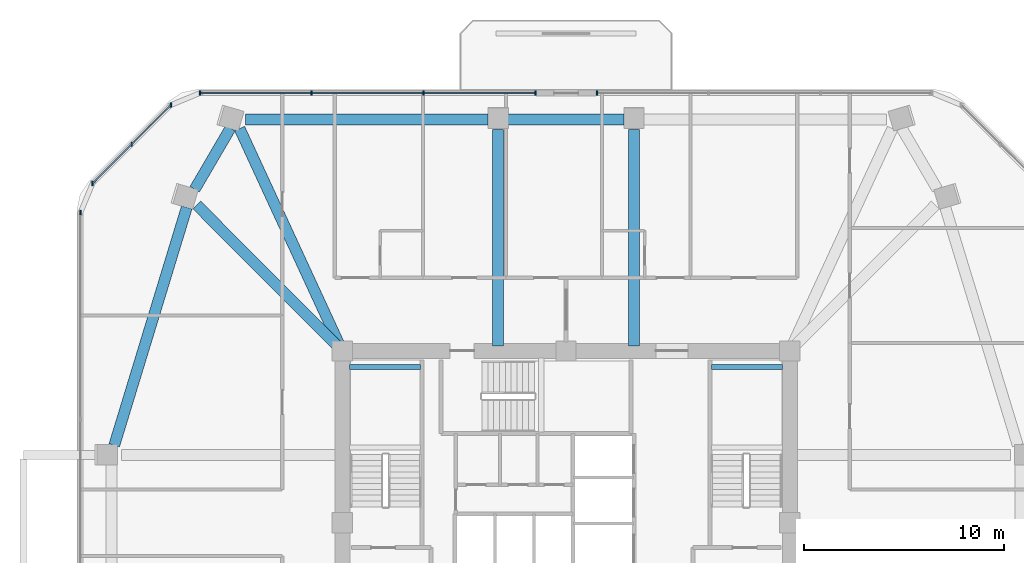
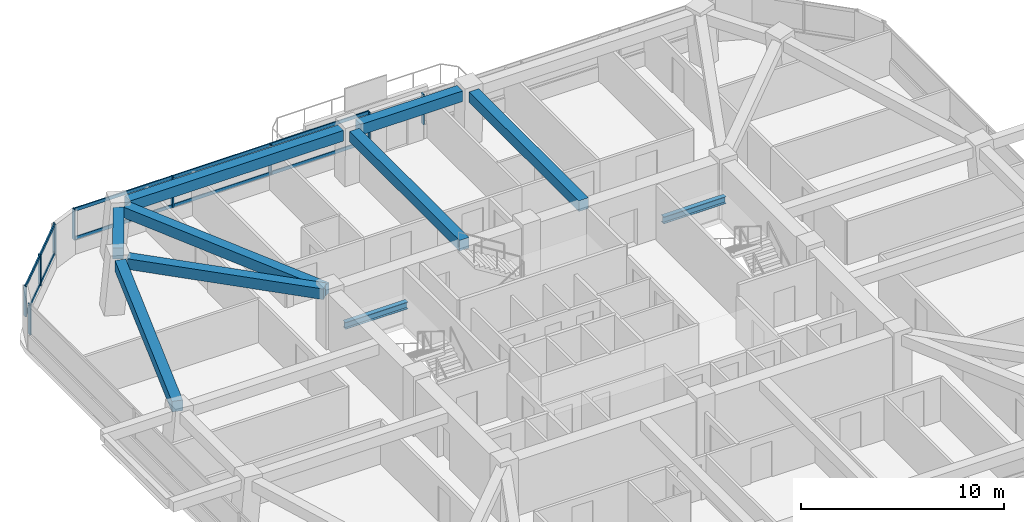
# One storey, part 5 of 13: 13 members, 10 beams, 4 elements without a shape of their own.
"""IFC4 building model written with IfcOpenShell, lengths in metres."""

from ifc_helpers import new_model, si_unit, derived_unit, direction, frame, origin, origin_2d, place, context, subcontext, project, spatial, rectangle, i_section, extrude, material, material_profile, profile_set, type_object, element, aggregate, save


model = new_model("IFC4")

# Units and contexts
model_context = context("Model", 3, precision=1e-05, world=origin(), true_north=direction((0.0, 1.0)))
body_context = subcontext(model_context, "Body", "Model", "MODEL_VIEW")
ifc_project = project(units=[si_unit("LENGTHUNIT", "METRE"), si_unit("AREAUNIT", "SQUARE_METRE"), si_unit("VOLUMEUNIT", "CUBIC_METRE"), si_unit("PLANEANGLEUNIT", "RADIAN"), si_unit("MASSUNIT", "GRAM", prefix="KILO"), derived_unit("THERMALTRANSMITTANCEUNIT", [(si_unit("POWERUNIT", "WATT"), 1), (si_unit("LENGTHUNIT", "METRE"), -2), (si_unit("THERMODYNAMICTEMPERATUREUNIT", "KELVIN"), -1)])], contexts=[model_context])

# Site, building, storey
site_placement = place(None, origin())
site = spatial("IfcSite", under=ifc_project, at=site_placement, CompositionType="ELEMENT")
building_placement = place(site_placement, origin())
building = spatial("IfcBuilding", under=site, at=building_placement, Name="Koralith Skygarden Medical Center", CompositionType="ELEMENT")
storey_placement = place(building_placement, frame((0.0, 0.0, 117.179931640625)))
storey = spatial("IfcBuildingStorey", under=building, at=storey_placement, Name="L30", CompositionType="ELEMENT", Elevation=117.179931640625)

# Curtain wall, member
ifc_material_1 = material(Name="Clear Laminated Glass", Category="glass")
curtain_wall_type = type_object("IfcCurtainWallType", Name="CW-3 Zone 2 Faceted Solar Curtain Wall", PredefinedType="NOTDEFINED", material=ifc_material_1)
curtain_wall_1_placement = place(storey_placement, origin())
curtain_wall_1 = element("IfcCurtainWall", 1, at=curtain_wall_1_placement, inside=storey, type_object=curtain_wall_type, Name="Curtain Wall CW-L30-N-L", PredefinedType="NOTDEFINED")
ifc_material_2 = material(Name="Aluminium 6063-T6", Category="aluminium")
ifc_material_profile_1 = material_profile(ifc_material_2, rectangle(XDim=0.073974609375, YDim=0.219970703125, at=origin_2d()), Name="MUL74X220")
ifc_profile_set_1 = profile_set([ifc_material_profile_1], Name="Aluminium 6063-T6")
member_type_1 = type_object("IfcMemberType", Name="CW-3 Extruded Mullion 74x220", PredefinedType="MULLION", material=ifc_profile_set_1)
member_1_placement = place(storey_placement, frame((38.5400390625, 47.412109375, 0.85009765625), z_axis=(0.0, 0.0, 1.0), x_axis=(1.0, 0.0, 0.0)))
member_1 = element("IfcMember", 2, at=member_1_placement, type_object=member_type_1, Name="CW-L30-N-L Mullion 4", PredefinedType="MULLION", context=body_context, shape_type="SweptSolid", body=[
    extrude(rectangle(XDim=0.073974609375, YDim=0.219970703125, at=origin_2d()), origin(), (0.0, 0.0, 1.0), 1.820068359375),
])
aggregate(curtain_wall_1, [member_1])

# Curtain wall, members
curtain_wall_2_placement = place(storey_placement, origin())
curtain_wall_2 = element("IfcCurtainWall", 3, at=curtain_wall_2_placement, inside=storey, type_object=curtain_wall_type, Name="Curtain Wall CW-L30-N-R", PredefinedType="NOTDEFINED")
member_2_placement = place(storey_placement, frame((35.4599609375, 47.412109375, 0.85009765625), z_axis=(0.0, 0.0, 1.0), x_axis=(1.0, 0.0, 0.0)))
member_2 = element("IfcMember", 4, at=member_2_placement, type_object=member_type_1, Name="CW-L30-N-R Mullion 1", PredefinedType="MULLION", context=body_context, shape_type="SweptSolid", body=[
    extrude(rectangle(XDim=0.073974609375, YDim=0.219970703125, at=origin_2d()), origin(), (0.0, 0.0, 1.0), 1.820068359375),
])
member_3_placement = place(storey_placement, frame((29.864990234375, 47.412109375, 0.85009765625), z_axis=(0.0, 0.0, 1.0), x_axis=(1.0, 0.0, 0.0)))
member_3 = element("IfcMember", 5, at=member_3_placement, type_object=member_type_1, Name="CW-L30-N-R Mullion 2", PredefinedType="MULLION", context=body_context, shape_type="SweptSolid", body=[
    extrude(rectangle(XDim=0.073974609375, YDim=0.219970703125, at=origin_2d()), origin(), (0.0, 0.0, 1.0), 1.820068359375),
])
member_4_placement = place(storey_placement, frame((24.26904296875, 47.412109375, 0.85009765625), z_axis=(0.0, 0.0, 1.0), x_axis=(1.0, 0.0, 0.0)))
member_4 = element("IfcMember", 6, at=member_4_placement, type_object=member_type_1, Name="CW-L30-N-R Mullion 3", PredefinedType="MULLION", context=body_context, shape_type="SweptSolid", body=[
    extrude(rectangle(XDim=0.073974609375, YDim=0.219970703125, at=origin_2d()), origin(), (0.0, 0.0, 1.0), 1.820068359375),
])
member_5_placement = place(storey_placement, frame((18.674072265625, 47.412109375, 0.85009765625), z_axis=(0.0, 0.0, 1.0), x_axis=(1.0, 0.0, 0.0)))
member_5 = element("IfcMember", 7, at=member_5_placement, type_object=member_type_1, Name="CW-L30-N-R Mullion 4", PredefinedType="MULLION", context=body_context, shape_type="SweptSolid", body=[
    extrude(rectangle(XDim=0.073974609375, YDim=0.219970703125, at=origin_2d()), origin(), (0.0, 0.0, 1.0), 1.820068359375),
])

curtain_wall_3_placement = place(storey_placement, origin())
curtain_wall_3 = element("IfcCurtainWall", 8, at=curtain_wall_3_placement, inside=storey, type_object=curtain_wall_type, Name="Curtain Wall CW-L30-NW", PredefinedType="NOTDEFINED")
member_6_placement = place(storey_placement, frame((17.222900390625, 46.81103515625, 0.85009765625), z_axis=(0.0, 0.0, 1.0), x_axis=(1.0, 0.0, 0.0)))
member_6 = element("IfcMember", 9, at=member_6_placement, type_object=member_type_1, Name="CW-L30-NW Mullion 1", PredefinedType="MULLION", context=body_context, shape_type="SweptSolid", body=[
    extrude(rectangle(XDim=0.073974609375, YDim=0.219970703125, at=origin_2d()), origin(), (0.0, 0.0, 1.0), 1.820068359375),
])
member_7_placement = place(storey_placement, frame((15.260986328125, 44.84912109375, 0.85009765625), z_axis=(0.0, 0.0, 1.0), x_axis=(1.0, 0.0, 0.0)))
member_7 = element("IfcMember", 10, at=member_7_placement, type_object=member_type_1, Name="CW-L30-NW Mullion 2", PredefinedType="MULLION", context=body_context, shape_type="SweptSolid", body=[
    extrude(rectangle(XDim=0.073974609375, YDim=0.219970703125, at=origin_2d()), origin(), (0.0, 0.0, 1.0), 1.820068359375),
])
member_8_placement = place(storey_placement, frame((13.300048828125, 42.887939453125, 0.85009765625), z_axis=(0.0, 0.0, 1.0), x_axis=(1.0, 0.0, 0.0)))
member_8 = element("IfcMember", 11, at=member_8_placement, type_object=member_type_1, Name="CW-L30-NW Mullion 3", PredefinedType="MULLION", context=body_context, shape_type="SweptSolid", body=[
    extrude(rectangle(XDim=0.073974609375, YDim=0.219970703125, at=origin_2d()), origin(), (0.0, 0.0, 1.0), 1.820068359375),
])

# Curtain wall, member
curtain_wall_4_placement = place(storey_placement, origin())
curtain_wall_4 = element("IfcCurtainWall", 12, at=curtain_wall_4_placement, inside=storey, type_object=curtain_wall_type, Name="Curtain Wall CW-L30-W", PredefinedType="NOTDEFINED")
member_9_placement = place(storey_placement, frame((12.697998046875, 41.43701171875, 0.85009765625), z_axis=(0.0, 0.0, 1.0), x_axis=(1.0, 0.0, 0.0)))
member_9 = element("IfcMember", 13, at=member_9_placement, type_object=member_type_1, Name="CW-L30-W Mullion 1", PredefinedType="MULLION", context=body_context, shape_type="SweptSolid", body=[
    extrude(rectangle(XDim=0.073974609375, YDim=0.219970703125, at=origin_2d()), origin(), (0.0, 0.0, 1.0), 1.820068359375),
])
aggregate(curtain_wall_4, [member_9])

# Member
ifc_material_profile_2 = material_profile(ifc_material_2, rectangle(XDim=0.069091796875, YDim=0.197998046875, at=origin_2d()), Name="TRN69X198")
ifc_profile_set_2 = profile_set([ifc_material_profile_2], Name="Aluminium 6063-T6")
member_type_2 = type_object("IfcMemberType", Name="CW-3 Thermal Transom 69x198", PredefinedType="USERDEFINED", material=ifc_profile_set_2)
member_10_placement = place(storey_placement, frame((35.4599609375, 47.412109375, 0.900146484375), z_axis=(-1.0, 0.0, 0.0), x_axis=(0.0, -1.0, 0.0)))
member_10 = element("IfcMember", 14, at=member_10_placement, type_object=member_type_2, Name="CW-L30-N-R Transom 1", ObjectType="TRANSOM", PredefinedType="USERDEFINED", context=body_context, shape_type="SweptSolid", body=[
    extrude(rectangle(XDim=0.069091796875, YDim=0.197998046875, at=origin_2d()), origin(), (0.0, 0.0, 1.0), 16.785888671875),
])

member_11_placement = place(storey_placement, frame((35.4599609375, 47.412109375, 2.6201171875), z_axis=(-1.0, 0.0, 0.0), x_axis=(0.0, -1.0, 0.0)))
member_11 = element("IfcMember", 15, at=member_11_placement, type_object=member_type_2, Name="CW-L30-N-R Transom 2", ObjectType="TRANSOM", PredefinedType="USERDEFINED", context=body_context, shape_type="SweptSolid", body=[
    extrude(rectangle(XDim=0.069091796875, YDim=0.197998046875, at=origin_2d()), origin(), (0.0, 0.0, 1.0), 16.785888671875),
])

aggregate(curtain_wall_2, [member_2, member_3, member_4, member_5, member_10, member_11])

member_12_placement = place(storey_placement, frame((17.222900390625, 46.81103515625, 0.900146484375), z_axis=(-0.707084777957, -0.707128783731, 0.0), x_axis=(0.707128783731, -0.707084777957, 0.0)))
member_12 = element("IfcMember", 16, at=member_12_placement, type_object=member_type_2, Name="CW-L30-NW Transom 1", ObjectType="TRANSOM", PredefinedType="USERDEFINED", context=body_context, shape_type="SweptSolid", body=[
    extrude(rectangle(XDim=0.069091796875, YDim=0.197998046875, at=origin_2d()), origin(), (0.0, 0.0, 1.0), 5.5478515625),
])

member_13_placement = place(storey_placement, frame((17.222900390625, 46.81103515625, 2.6201171875), z_axis=(-0.707084777957, -0.707128783731, 0.0), x_axis=(0.707128783731, -0.707084777957, 0.0)))
member_13 = element("IfcMember", 17, at=member_13_placement, type_object=member_type_2, Name="CW-L30-NW Transom 2", ObjectType="TRANSOM", PredefinedType="USERDEFINED", context=body_context, shape_type="SweptSolid", body=[
    extrude(rectangle(XDim=0.069091796875, YDim=0.197998046875, at=origin_2d()), origin(), (0.0, 0.0, 1.0), 5.5478515625),
])

aggregate(curtain_wall_3, [member_6, member_7, member_8, member_12, member_13])

# Beams
ifc_material_3 = material(Name="Steel ASTM A992 Grade 50", Category="steel")
ifc_material_profile_3 = material_profile(ifc_material_3, i_section(OverallWidth=0.260009765625, OverallDepth=0.4150390625, WebThickness=0.010009765625, FlangeThickness=0.016845703125, at=origin_2d()), Name="W16X67")
ifc_profile_set_3 = profile_set([ifc_material_profile_3], Name="Steel ASTM A992 Grade 50")
beam_type_1 = type_object("IfcBeamType", Name="Clinical Floor Joist W16X67", PredefinedType="JOIST", material=ifc_profile_set_3)
for number, where, z_axis, x_axis, name in (
    (18, (26.155029296875, 33.699951171875, 1.39306640625), (1.0, 0.0, 0.0), (0.0, 1.0, 0.0), "L30 Stair ST1 Half-Landing Support Beam 1B"),
    (19, (44.280029296875, 33.699951171875, 1.39306640625), (1.0, 0.0, 0.0), (0.0, 1.0, 0.0), "L30 Stair ST2 Half-Landing Support Beam 1B"),
):
    element("IfcBeam", number, at=place(storey_placement, frame(where, z_axis=z_axis, x_axis=x_axis)), inside=storey, type_object=beam_type_1, Name=name, PredefinedType="JOIST", context=body_context, shape_type="SweptSolid", body=[
        extrude(i_section(OverallWidth=0.260009765625, OverallDepth=0.4150390625, WebThickness=0.010009765625, FlangeThickness=0.016845703125, at=origin_2d()), origin(), (0.0, 0.0, 1.0), 3.56494140625),
    ])
ifc_material_4 = material(Name="Concrete C45/55", Category="concrete")
ifc_material_profile_4 = material_profile(ifc_material_4, rectangle(XDim=0.550048828125, YDim=0.639892578125, at=origin_2d()), Name="RCB550X640")
ifc_profile_set_4 = profile_set([ifc_material_profile_4], Name="Concrete C45/55")
beam_type_2 = type_object("IfcBeamType", Name="Radial Collector Beam RCB550X640", PredefinedType="BEAM", material=ifc_profile_set_4)
for number, where, z_axis, x_axis, name in (
    (20, (40.39990234375, 34.75, 3.0), (0.0, 1.0, 0.0), (-1.0, 0.0, 0.0), "L30 Radial Collector Beam RB-12"),
    (21, (33.60009765625, 34.75, 3.0), (0.0, 1.0, 0.0), (-1.0, 0.0, 0.0), "L30 Radial Collector Beam RB-13"),
):
    element("IfcBeam", number, at=place(storey_placement, frame(where, z_axis=z_axis, x_axis=x_axis)), inside=storey, type_object=beam_type_2, Name=name, PredefinedType="BEAM", context=body_context, shape_type="SweptSolid", body=[
        extrude(rectangle(XDim=0.550048828125, YDim=0.639892578125, at=origin_2d()), origin(), (0.0, 0.0, 1.0), 10.833984375),
    ])
beam_1_placement = place(storey_placement, frame((25.695068359375, 34.72705078125, 3.0), z_axis=(-0.419118772133, 0.907931415276, 0.0), x_axis=(-0.907931415276, -0.419118772133, 0.0)))
element("IfcBeam", 22, at=beam_1_placement, inside=storey, type_object=beam_type_2, Name="L30 Radial Collector Beam RB-14", PredefinedType="BEAM", context=body_context, shape_type="SweptSolid", body=[
    extrude(rectangle(XDim=0.550048828125, YDim=0.639892578125, at=origin_2d()), origin(), (0.0, 0.0, 1.0), 12.008544921875),
])
beam_2_placement = place(storey_placement, frame((25.6240234375, 34.677001953125, 3.0), z_axis=(-0.706015026084, 0.708196853243, 0.0), x_axis=(-0.708196853243, -0.706015026084, 0.0)))
element("IfcBeam", 23, at=beam_2_placement, inside=storey, type_object=beam_type_2, Name="L30 Radial Collector Beam RB-15", PredefinedType="BEAM", context=body_context, shape_type="SweptSolid", body=[
    extrude(rectangle(XDim=0.550048828125, YDim=0.639892578125, at=origin_2d()), origin(), (0.0, 0.0, 1.0), 10.07080078125),
])
ifc_material_profile_5 = material_profile(ifc_material_4, rectangle(XDim=0.550048828125, YDim=0.639892578125, at=origin_2d()), Name="RCB550X640")
ifc_profile_set_5 = profile_set([ifc_material_profile_5], Name="Concrete C45/55")
beam_type_3 = type_object("IfcBeamType", Name="Zone 2-3 Spandrel Beam RCB550X640", PredefinedType="SPANDREL", material=ifc_profile_set_5)
beam_3_placement = place(storey_placement, frame((39.89990234375, 46.083984375, 3.0), z_axis=(-1.0, 0.0, 0.0), x_axis=(0.0, -1.0, 0.0)))
element("IfcBeam", 24, at=beam_3_placement, inside=storey, type_object=beam_type_3, Name="L30 Perimeter Spandrel Beam SP-12", PredefinedType="SPANDREL", context=body_context, shape_type="SweptSolid", body=[
    extrude(rectangle(XDim=0.550048828125, YDim=0.639892578125, at=origin_2d()), origin(), (0.0, 0.0, 1.0), 5.7998046875),
])
beam_4_placement = place(storey_placement, frame((33.10009765625, 46.083984375, 3.0), z_axis=(-1.0, 0.0, 0.0), x_axis=(0.0, -1.0, 0.0)))
element("IfcBeam", 25, at=beam_4_placement, inside=storey, type_object=beam_type_3, Name="L30 Perimeter Spandrel Beam SP-13", PredefinedType="SPANDREL", context=body_context, shape_type="SweptSolid", body=[
    extrude(rectangle(XDim=0.550048828125, YDim=0.639892578125, at=origin_2d()), origin(), (0.0, 0.0, 1.0), 12.148193359375),
])
beam_5_placement = place(storey_placement, frame((20.199951171875, 45.652099609375, 3.0), z_axis=(-0.504616741927, -0.863343468016, 0.0), x_axis=(0.863343468016, -0.504616741927, 0.0)))
element("IfcBeam", 26, at=beam_5_placement, inside=storey, type_object=beam_type_3, Name="L30 Perimeter Spandrel Beam SP-14", PredefinedType="SPANDREL", context=body_context, shape_type="SweptSolid", body=[
    extrude(rectangle(XDim=0.550048828125, YDim=0.639892578125, at=origin_2d()), origin(), (0.0, 0.0, 1.0), 3.541015625),
])
beam_6_placement = place(storey_placement, frame((18.014892578125, 41.68505859375, 3.0), z_axis=(-0.29153231272, -0.95656098114, 0.0), x_axis=(0.95656098114, -0.29153231272, 0.0)))
element("IfcBeam", 27, at=beam_6_placement, inside=storey, type_object=beam_type_3, Name="L30 Perimeter Spandrel Beam SP-15", PredefinedType="SPANDREL", context=body_context, shape_type="SweptSolid", body=[
    extrude(rectangle(XDim=0.550048828125, YDim=0.639892578125, at=origin_2d()), origin(), (0.0, 0.0, 1.0), 12.44775390625),
])

save(model, "model.ifc")
